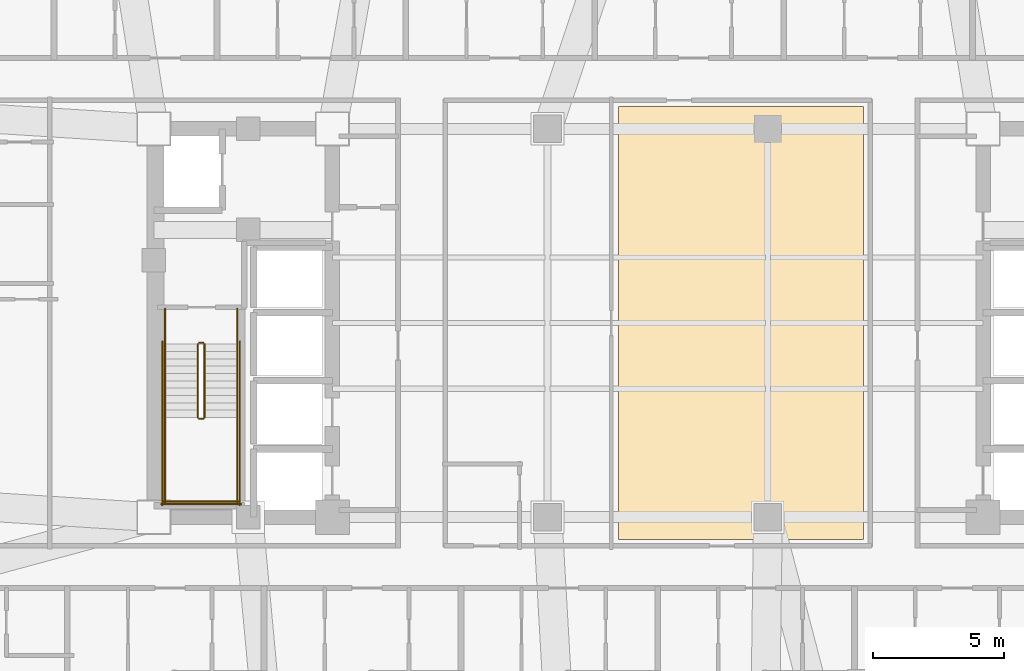
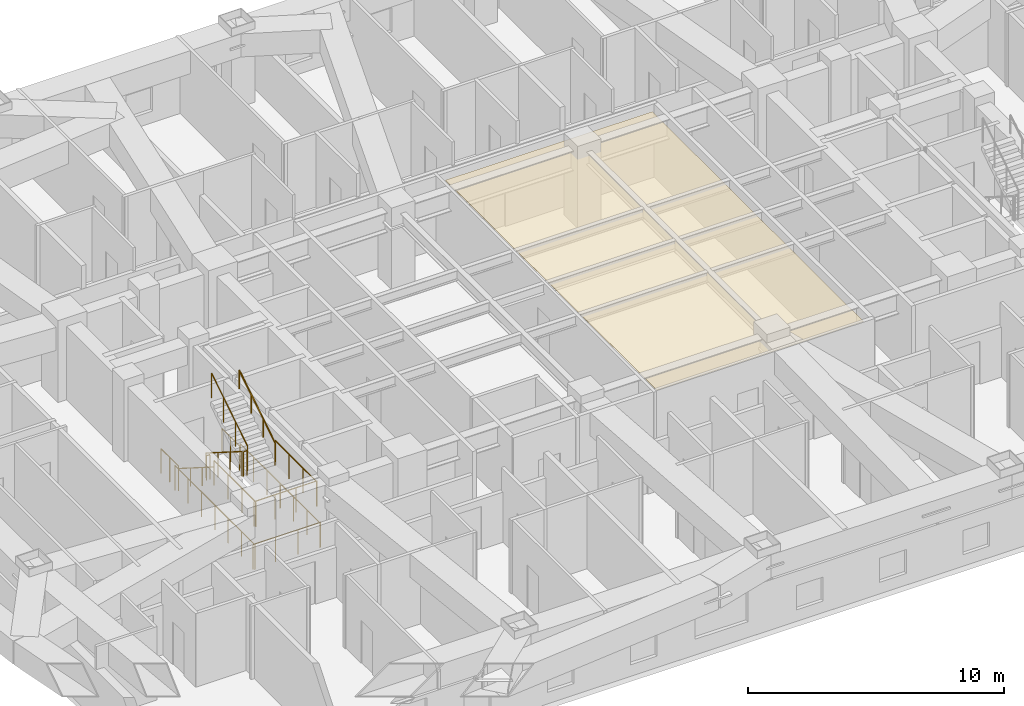
# One storey, part 13 of 14: 14 railings, 1 covering.
"""IFC4 building model written with IfcOpenShell, lengths in metres."""

from ifc_helpers import new_model, si_unit, direction, frame, origin, origin_2d, place, context, subcontext, project, spatial, polyline, circle, outline, extrude, material, layer, layer_set, type_object, element, save


model = new_model("IFC4")

# Units and contexts
model_context = context("Model", 3, precision=1e-05, world=origin(), true_north=direction((0.0, 1.0)))
body_context = subcontext(model_context, "Body", "Model", "MODEL_VIEW")
ifc_project = project(units=[si_unit("LENGTHUNIT", "METRE"), si_unit("AREAUNIT", "SQUARE_METRE"), si_unit("VOLUMEUNIT", "CUBIC_METRE"), si_unit("PLANEANGLEUNIT", "RADIAN"), si_unit("MASSUNIT", "GRAM", prefix="KILO")], contexts=[model_context])

# Site, building, storey
site_placement = place(None, origin())
site = spatial("IfcSite", under=ifc_project, at=site_placement, CompositionType="ELEMENT")
building_placement = place(site_placement, origin())
building = spatial("IfcBuilding", under=site, at=building_placement, Name="Voryun Gate Residences", CompositionType="ELEMENT")
storey_placement = place(building_placement, frame((0.0, 0.0, 136.5)))
storey = spatial("IfcBuildingStorey", under=building, at=storey_placement, Name="L33", CompositionType="ELEMENT", Elevation=136.5)

# Covering
ifc_material_1 = material(Name="Gypsum acoustic ceiling")
ifc_layer = layer(ifc_material_1, 0.02490234375, Name="COV_CEILING_ACOUSTIC")
ifc_layer_set = layer_set([ifc_layer], Name="Gypsum acoustic ceiling")
covering_type = type_object("IfcCoveringType", Name="COV_CEILING_ACOUSTIC", PredefinedType="CEILING", material=ifc_layer_set)
covering_placement = place(storey_placement, frame((0.0, 0.0, 3.25)))
element("IfcCovering", 1, at=covering_placement, inside=storey, type_object=covering_type, Name="Acoustic ceiling CLG-L33-01", PredefinedType="CEILING", context=body_context, shape_type="SweptSolid", body=[
    extrude(outline(polyline([(-1.492919921875, 8.25), (7.840087890625, 8.25), (7.840087890625, -8.25), (-1.492919921875, -8.25), (-1.492919921875, 8.25)])), origin(), (0.0, 0.0, 1.0), 0.02490234375),
])

# Railings
ifc_material_2 = material(Name="Painted steel", Category="steel")
railing_type_1 = type_object("IfcRailingType", Name="RAIL_STAIR_GUARD_1200", PredefinedType="GUARDRAIL", material=ifc_material_2)
railing_1_placement = place(storey_placement, frame((-17.52490234375, -0.800048828125, 0.17724609375)))
element("IfcRailing", 2, at=railing_1_placement, inside=storey, type_object=railing_type_1, Name="L33 ST-W1 stair guard 1", PredefinedType="GUARDRAIL", context=body_context, shape_type="SweptSolid", body=[
    extrude(circle(Radius=0.02392578125, at=origin_2d()), frame((0.0, 0.0, 1.17578125), z_axis=(0.0, -0.844908973607, 0.534910110503), x_axis=(1.0, 0.0, 0.0)), (0.0, 0.0, 1.0), 3.31396484375),
    extrude(circle(Radius=0.02099609375, at=origin_2d()), origin(), (0.0, 0.0, 1.0), 1.15185546875),
    extrude(circle(Radius=0.02099609375, at=origin_2d()), frame((0.0, -0.933349609375, 0.5908203125)), (0.0, 0.0, 1.0), 1.15185546875),
    extrude(circle(Radius=0.02099609375, at=origin_2d()), frame((0.0, -1.86669921875, 1.181884765625)), (0.0, 0.0, 1.0), 1.15185546875),
    extrude(circle(Radius=0.02099609375, at=origin_2d()), frame((0.0, -2.800048828125, 1.772705078125)), (0.0, 0.0, 1.0), 1.15185546875),
])
railing_2_placement = place(storey_placement, frame((-17.47509765625, -3.64990234375, 1.949951171875)))
element("IfcRailing", 3, at=railing_2_placement, inside=storey, type_object=railing_type_1, Name="L33 ST-W1 stair guard 2", PredefinedType="GUARDRAIL", context=body_context, shape_type="SweptSolid", body=[
    extrude(circle(Radius=0.02392578125, at=origin_2d()), frame((0.0, 0.0, 1.17578125), z_axis=(1.0, 0.0, 0.0), x_axis=(0.0, 1.0, 0.0)), (0.0, 0.0, 1.0), 0.150146484375),
    extrude(circle(Radius=0.02099609375, at=origin_2d()), origin(), (0.0, 0.0, 1.0), 1.15185546875),
    extrude(circle(Radius=0.02099609375, at=origin_2d()), frame((0.150146484375, 0.0, 0.0)), (0.0, 0.0, 1.0), 1.15185546875),
])
for number, where, name in (
    (4, (-18.77490234375, -3.60009765625, 1.949951171875), "L33 ST-W1 stair guard 3"),
    (5, (-16.02490234375, -3.60009765625, 1.949951171875), "L33 ST-W1 stair guard 4"),
):
    element("IfcRailing", number, at=place(storey_placement, frame(where)), inside=storey, type_object=railing_type_1, Name=name, PredefinedType="GUARDRAIL", context=body_context, shape_type="SweptSolid", body=[
        extrude(circle(Radius=0.02392578125, at=origin_2d()), frame((0.0, 0.0, 1.17578125), z_axis=(0.0, -1.0, 0.0), x_axis=(1.0, 0.0, 0.0)), (0.0, 0.0, 1.0), 3.25),
        extrude(circle(Radius=0.02099609375, at=origin_2d()), origin(), (0.0, 0.0, 1.0), 1.15185546875),
        extrude(circle(Radius=0.02099609375, at=origin_2d()), frame((0.0, -1.083251953125, 0.0)), (0.0, 0.0, 1.0), 1.15185546875),
        extrude(circle(Radius=0.02099609375, at=origin_2d()), frame((0.0, -2.166748046875, 0.0)), (0.0, 0.0, 1.0), 1.15185546875),
        extrude(circle(Radius=0.02099609375, at=origin_2d()), frame((0.0, -3.25, 0.0)), (0.0, 0.0, 1.0), 1.15185546875),
    ])
railing_3_placement = place(storey_placement, frame((-18.824951171875, -6.800048828125, 1.949951171875)))
element("IfcRailing", 6, at=railing_3_placement, inside=storey, type_object=railing_type_1, Name="L33 ST-W1 stair guard 5", PredefinedType="GUARDRAIL", context=body_context, shape_type="SweptSolid", body=[
    extrude(circle(Radius=0.02392578125, at=origin_2d()), frame((0.0, 0.0, 1.17578125), z_axis=(1.0, 0.0, 0.0), x_axis=(0.0, 1.0, 0.0)), (0.0, 0.0, 1.0), 2.849853515625),
    extrude(circle(Radius=0.02099609375, at=origin_2d()), origin(), (0.0, 0.0, 1.0), 1.15185546875),
    extrude(circle(Radius=0.02099609375, at=origin_2d()), frame((0.949951171875, 0.0, 0.0)), (0.0, 0.0, 1.0), 1.15185546875),
    extrude(circle(Radius=0.02099609375, at=origin_2d()), frame((1.89990234375, 0.0, 0.0)), (0.0, 0.0, 1.0), 1.15185546875),
    extrude(circle(Radius=0.02099609375, at=origin_2d()), frame((2.849853515625, 0.0, 0.0)), (0.0, 0.0, 1.0), 1.15185546875),
])
railing_4_placement = place(storey_placement, frame((-17.27490234375, -3.60009765625, 2.127197265625)))
element("IfcRailing", 7, at=railing_4_placement, inside=storey, type_object=railing_type_1, Name="L33 ST-W1 stair guard 6", PredefinedType="GUARDRAIL", context=body_context, shape_type="SweptSolid", body=[
    extrude(circle(Radius=0.02392578125, at=origin_2d()), frame((0.0, 0.0, 1.17578125), z_axis=(0.0, 0.844908973607, 0.534910110503), x_axis=(-1.0, 0.0, 0.0)), (0.0, 0.0, 1.0), 3.31396484375),
    extrude(circle(Radius=0.02099609375, at=origin_2d()), origin(), (0.0, 0.0, 1.0), 1.15185546875),
    extrude(circle(Radius=0.02099609375, at=origin_2d()), frame((0.0, 0.933349609375, 0.5908203125)), (0.0, 0.0, 1.0), 1.15185546875),
    extrude(circle(Radius=0.02099609375, at=origin_2d()), frame((0.0, 1.86669921875, 1.181884765625)), (0.0, 0.0, 1.0), 1.15185546875),
    extrude(circle(Radius=0.02099609375, at=origin_2d()), frame((0.0, 2.800048828125, 1.772705078125)), (0.0, 0.0, 1.0), 1.15185546875),
])
railing_5_placement = place(storey_placement, frame((-17.47509765625, -0.75, 0.0)))
element("IfcRailing", 8, at=railing_5_placement, inside=storey, type_object=railing_type_1, Name="L33 ST-W1 stair guard 7", PredefinedType="GUARDRAIL", context=body_context, shape_type="SweptSolid", body=[
    extrude(circle(Radius=0.02392578125, at=origin_2d()), frame((0.0, 0.0, 1.17578125), z_axis=(1.0, 0.0, 0.0), x_axis=(0.0, 1.0, 0.0)), (0.0, 0.0, 1.0), 0.150146484375),
    extrude(circle(Radius=0.02099609375, at=origin_2d()), origin(), (0.0, 0.0, 1.0), 1.15185546875),
    extrude(circle(Radius=0.02099609375, at=origin_2d()), frame((0.150146484375, 0.0, 0.0)), (0.0, 0.0, 1.0), 1.15185546875),
])
for number, where, name in (
    (9, (-18.77490234375, 0.550048828125, 0.0), "L33 ST-W1 stair guard 8"),
    (10, (-16.02490234375, 0.550048828125, 0.0), "L33 ST-W1 stair guard 9"),
):
    element("IfcRailing", number, at=place(storey_placement, frame(where)), inside=storey, type_object=railing_type_1, Name=name, PredefinedType="GUARDRAIL", context=body_context, shape_type="SweptSolid", body=[
        extrude(circle(Radius=0.02392578125, at=origin_2d()), frame((0.0, 0.0, 1.17578125), z_axis=(0.0, -1.0, 0.0), x_axis=(1.0, 0.0, 0.0)), (0.0, 0.0, 1.0), 1.35009765625),
        extrude(circle(Radius=0.02099609375, at=origin_2d()), origin(), (0.0, 0.0, 1.0), 1.15185546875),
        extrude(circle(Radius=0.02099609375, at=origin_2d()), frame((0.0, -0.675048828125, 0.0)), (0.0, 0.0, 1.0), 1.15185546875),
        extrude(circle(Radius=0.02099609375, at=origin_2d()), frame((0.0, -1.35009765625, 0.0)), (0.0, 0.0, 1.0), 1.15185546875),
    ])
for number, where, name in (
    (11, (-18.875, -0.699951171875, 0.0), "L33 ST-W1 stair guard 10"),
    (12, (-15.925048828125, -0.699951171875, 0.0), "L33 ST-W1 stair guard 11"),
):
    element("IfcRailing", number, at=place(storey_placement, frame(where)), inside=storey, type_object=railing_type_1, Name=name, PredefinedType="GUARDRAIL", context=body_context, shape_type="SweptSolid", body=[
        extrude(circle(Radius=0.02392578125, at=origin_2d()), frame((0.0, 0.0, 1.17578125), z_axis=(0.0, -1.0, 0.0), x_axis=(1.0, 0.0, 0.0)), (0.0, 0.0, 1.0), 6.25),
        extrude(circle(Radius=0.02099609375, at=origin_2d()), origin(), (0.0, 0.0, 1.0), 1.15185546875),
        extrude(circle(Radius=0.02099609375, at=origin_2d()), frame((0.0, -1.041748046875, 0.0)), (0.0, 0.0, 1.0), 1.15185546875),
        extrude(circle(Radius=0.02099609375, at=origin_2d()), frame((0.0, -2.083251953125, 0.0)), (0.0, 0.0, 1.0), 1.15185546875),
        extrude(circle(Radius=0.02099609375, at=origin_2d()), frame((0.0, -3.125, 0.0)), (0.0, 0.0, 1.0), 1.15185546875),
        extrude(circle(Radius=0.02099609375, at=origin_2d()), frame((0.0, -4.166748046875, 0.0)), (0.0, 0.0, 1.0), 1.15185546875),
        extrude(circle(Radius=0.02099609375, at=origin_2d()), frame((0.0, -5.208251953125, 0.0)), (0.0, 0.0, 1.0), 1.15185546875),
        extrude(circle(Radius=0.02099609375, at=origin_2d()), frame((0.0, -6.25, 0.0)), (0.0, 0.0, 1.0), 1.15185546875),
    ])
railing_6_placement = place(storey_placement, frame((-18.925048828125, -6.89990234375, 0.0)))
element("IfcRailing", 13, at=railing_6_placement, inside=storey, type_object=railing_type_1, Name="L33 ST-W1 stair guard 12", PredefinedType="GUARDRAIL", context=body_context, shape_type="SweptSolid", body=[
    extrude(circle(Radius=0.02392578125, at=origin_2d()), frame((0.0, 0.0, 1.17578125), z_axis=(1.0, 0.0, 0.0), x_axis=(0.0, 1.0, 0.0)), (0.0, 0.0, 1.0), 3.050048828125),
    extrude(circle(Radius=0.02099609375, at=origin_2d()), origin(), (0.0, 0.0, 1.0), 1.15185546875),
    extrude(circle(Radius=0.02099609375, at=origin_2d()), frame((1.0166015625, 0.0, 0.0)), (0.0, 0.0, 1.0), 1.15185546875),
    extrude(circle(Radius=0.02099609375, at=origin_2d()), frame((2.033447265625, 0.0, 0.0)), (0.0, 0.0, 1.0), 1.15185546875),
    extrude(circle(Radius=0.02099609375, at=origin_2d()), frame((3.050048828125, 0.0, 0.0)), (0.0, 0.0, 1.0), 1.15185546875),
])
ifc_material_3 = material(Name="Painted steel", Category="steel")
railing_type_2 = type_object("IfcRailingType", Name="RAIL_STAIR_HANDRAIL_900", PredefinedType="HANDRAIL", material=ifc_material_3)
railing_7_placement = place(storey_placement, frame((-18.77490234375, -0.800048828125, 0.17724609375)))
element("IfcRailing", 14, at=railing_7_placement, inside=storey, type_object=railing_type_2, Name="L33 ST-W1 stair handrail 1", PredefinedType="HANDRAIL", context=body_context, shape_type="SweptSolid", body=[
    extrude(circle(Radius=0.02392578125, at=origin_2d()), frame((0.0, 0.0, 0.8759765625), z_axis=(0.0, -0.844908973607, 0.534910110503), x_axis=(1.0, 0.0, 0.0)), (0.0, 0.0, 1.0), 3.31396484375),
    extrude(circle(Radius=0.02099609375, at=origin_2d()), origin(), (0.0, 0.0, 1.0), 0.851806640625),
    extrude(circle(Radius=0.02099609375, at=origin_2d()), frame((0.0, -0.933349609375, 0.5908203125)), (0.0, 0.0, 1.0), 0.851806640625),
    extrude(circle(Radius=0.02099609375, at=origin_2d()), frame((0.0, -1.86669921875, 1.181884765625)), (0.0, 0.0, 1.0), 0.851806640625),
    extrude(circle(Radius=0.02099609375, at=origin_2d()), frame((0.0, -2.800048828125, 1.772705078125)), (0.0, 0.0, 1.0), 0.851806640625),
])
railing_8_placement = place(storey_placement, frame((-16.02490234375, -3.60009765625, 2.127197265625)))
element("IfcRailing", 15, at=railing_8_placement, inside=storey, type_object=railing_type_2, Name="L33 ST-W1 stair handrail 2", PredefinedType="HANDRAIL", context=body_context, shape_type="SweptSolid", body=[
    extrude(circle(Radius=0.02392578125, at=origin_2d()), frame((0.0, 0.0, 0.8759765625), z_axis=(0.0, 0.844908973607, 0.534910110503), x_axis=(-1.0, 0.0, 0.0)), (0.0, 0.0, 1.0), 3.31396484375),
    extrude(circle(Radius=0.02099609375, at=origin_2d()), origin(), (0.0, 0.0, 1.0), 0.851806640625),
    extrude(circle(Radius=0.02099609375, at=origin_2d()), frame((0.0, 0.933349609375, 0.5908203125)), (0.0, 0.0, 1.0), 0.851806640625),
    extrude(circle(Radius=0.02099609375, at=origin_2d()), frame((0.0, 1.86669921875, 1.181884765625)), (0.0, 0.0, 1.0), 0.851806640625),
    extrude(circle(Radius=0.02099609375, at=origin_2d()), frame((0.0, 2.800048828125, 1.772705078125)), (0.0, 0.0, 1.0), 0.851806640625),
])

save(model, "model.ifc")
